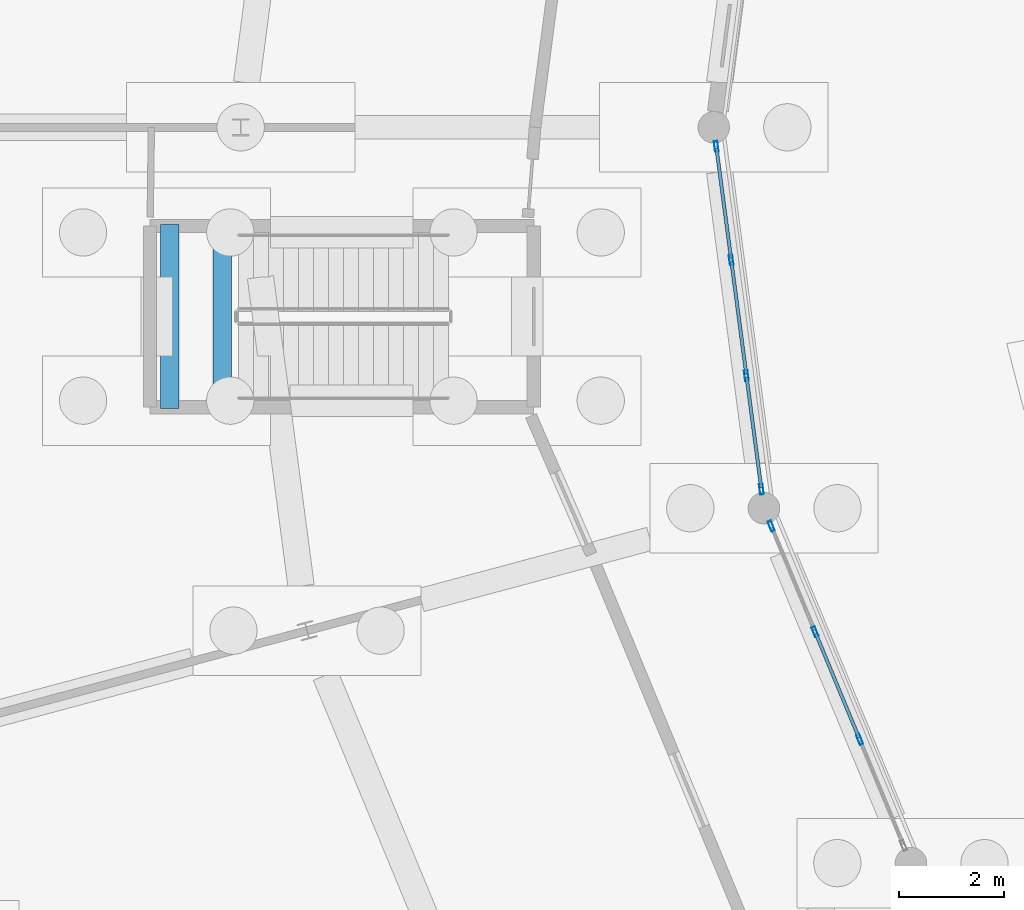
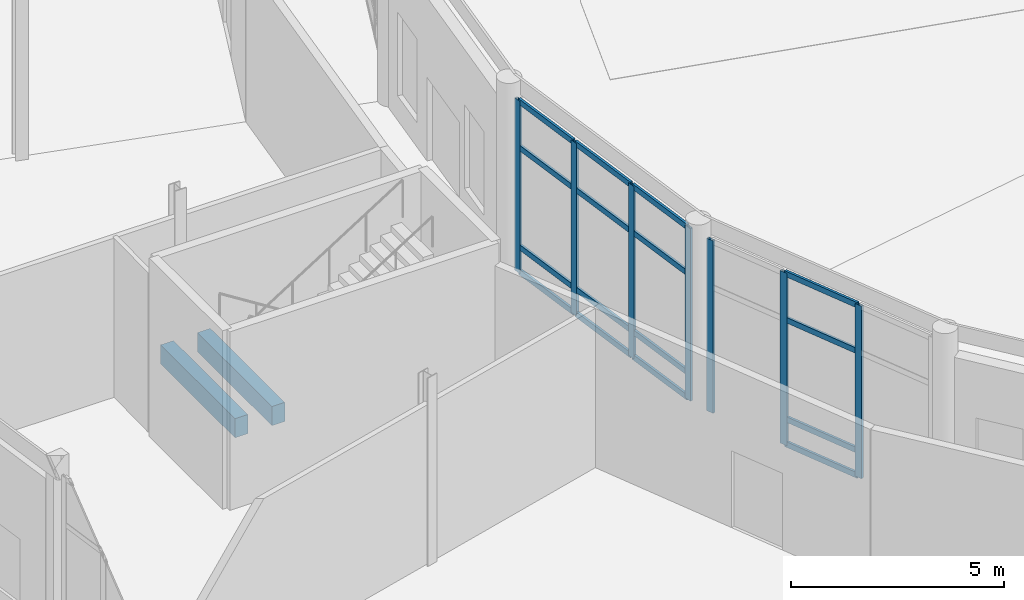
# One storey, part 53 of 137: 23 members, 2 beams, 2 elements without a shape of their own.
"""IFC4 building model written with IfcOpenShell, lengths in metres."""

from ifc_helpers import new_model, si_unit, direction, frame, origin, origin_2d, place, context, subcontext, project, spatial, rectangle, hollow_rectangle, extrude, material, material_profile, profile_set, type_object, element, aggregate, save


model = new_model("IFC4")

# Units and contexts
model_context = context("Model", 3, precision=1e-05, world=origin(), true_north=direction((0.0, 1.0)))
body_context = subcontext(model_context, "Body", "Model", "MODEL_VIEW")
ifc_project = project(units=[si_unit("LENGTHUNIT", "METRE"), si_unit("AREAUNIT", "SQUARE_METRE"), si_unit("VOLUMEUNIT", "CUBIC_METRE"), si_unit("PLANEANGLEUNIT", "RADIAN"), si_unit("MASSUNIT", "GRAM", prefix="KILO")], contexts=[model_context])

# Site, building, storey
site_placement = place(None, origin())
site = spatial("IfcSite", under=ifc_project, at=site_placement, CompositionType="ELEMENT")
building_placement = place(site_placement, origin())
building = spatial("IfcBuilding", under=site, at=building_placement, Name="Vondelvale Polytechnic", CompositionType="ELEMENT")
storey_placement = place(building_placement, origin())
storey = spatial("IfcBuildingStorey", under=building, at=storey_placement, Name="L00", CompositionType="ELEMENT", Elevation=0.0)

# Beams
ifc_material_1 = material(Name="Concrete N40 (f'c = 40 MPa)", Category="concrete")
ifc_material_profile_1 = material_profile(ifc_material_1, rectangle(XDim=0.35009765625, YDim=0.550048828125, at=origin_2d()), Name="RC-BM-350x550")
ifc_profile_set_1 = profile_set([ifc_material_profile_1], Name="Concrete N40 (f'c = 40 MPa)")
beam_type = type_object("IfcBeamType", Name="BM-RC350x550", PredefinedType="BEAM", material=ifc_profile_set_1)
for number, where, z_axis, x_axis, name in (
    (1, (64.64990234375, 70.14990234375, 2.22509765625), (0.0, -1.0, 0.0), (1.0, 0.0, 0.0), "L00 STLD B-06"),
    (2, (63.64990234375, 70.14990234375, 2.22509765625), (0.0, -1.0, 0.0), (1.0, 0.0, 0.0), "L00 STLD B-06"),
):
    element("IfcBeam", number, at=place(storey_placement, frame(where, z_axis=z_axis, x_axis=x_axis)), inside=storey, type_object=beam_type, Name=name, PredefinedType="BEAM", context=body_context, shape_type="SweptSolid", body=[
        extrude(rectangle(XDim=0.35009765625, YDim=0.550048828125, at=origin_2d()), origin(), (0.0, 0.0, 1.0), 3.5),
    ])

# Curtain wall, members
ifc_material_2 = material(Name="Anodised extruded aluminium 6063-T6", Category="aluminium")
curtain_wall_type = type_object("IfcCurtainWallType", Name="CW-RING-CLOISTER", PredefinedType="NOTDEFINED", material=ifc_material_2)
curtain_wall_1_placement = place(storey_placement, origin())
curtain_wall_1 = element("IfcCurtainWall", 3, at=curtain_wall_1_placement, inside=storey, type_object=curtain_wall_type, Name="L00 architectural curtain wall CW-03-256", PredefinedType="NOTDEFINED")
ifc_material_profile_2 = material_profile(ifc_material_2, hollow_rectangle(XDim=0.070068359375, YDim=0.199951171875, WallThickness=0.00390625, at=origin_2d()), Name="CW-MUL-200x70")
ifc_profile_set_2 = profile_set([ifc_material_profile_2], Name="Anodised extruded aluminium 6063-T6")
member_type_1 = type_object("IfcMemberType", Name="CW-MUL-70x200", PredefinedType="MULLION", material=ifc_profile_set_2)
member_1_placement = place(storey_placement, frame((74.04736328125, 71.639404296875, 0.0), z_axis=(0.0, 0.0, 1.0), x_axis=(0.99144462243, 0.130528007165, 0.0)))
member_1 = element("IfcMember", 4, at=member_1_placement, type_object=member_type_1, Name="CW-03-256 mullion 1", PredefinedType="MULLION", context=body_context, shape_type="SweptSolid", body=[
    extrude(hollow_rectangle(XDim=0.070068359375, YDim=0.199951171875, WallThickness=0.00390625, at=origin_2d()), origin(), (0.0, 0.0, 1.0), 4.949951171875),
])
member_2_placement = place(storey_placement, frame((74.332275390625, 69.475830078125, 0.0), z_axis=(0.0, 0.0, 1.0), x_axis=(0.99144462243, 0.130528007165, 0.0)))
member_2 = element("IfcMember", 5, at=member_2_placement, type_object=member_type_1, Name="CW-03-256 mullion 2", PredefinedType="MULLION", context=body_context, shape_type="SweptSolid", body=[
    extrude(hollow_rectangle(XDim=0.070068359375, YDim=0.199951171875, WallThickness=0.00390625, at=origin_2d()), origin(), (0.0, 0.0, 1.0), 4.949951171875),
])
member_3_placement = place(storey_placement, frame((74.621826171875, 67.27734375, 0.0), z_axis=(0.0, 0.0, 1.0), x_axis=(0.99144462243, 0.130528007165, 0.0)))
member_3 = element("IfcMember", 6, at=member_3_placement, type_object=member_type_1, Name="CW-03-256 mullion 3", PredefinedType="MULLION", context=body_context, shape_type="SweptSolid", body=[
    extrude(hollow_rectangle(XDim=0.070068359375, YDim=0.199951171875, WallThickness=0.00390625, at=origin_2d()), origin(), (0.0, 0.0, 1.0), 4.949951171875),
])
member_4_placement = place(storey_placement, frame((74.90673828125, 65.113525390625, 0.0), z_axis=(0.0, 0.0, 1.0), x_axis=(0.99144462243, 0.130528007165, 0.0)))
member_4 = element("IfcMember", 7, at=member_4_placement, type_object=member_type_1, Name="CW-03-256 mullion 4", PredefinedType="MULLION", context=body_context, shape_type="SweptSolid", body=[
    extrude(hollow_rectangle(XDim=0.070068359375, YDim=0.199951171875, WallThickness=0.00390625, at=origin_2d()), origin(), (0.0, 0.0, 1.0), 4.949951171875),
])

curtain_wall_2_placement = place(storey_placement, origin())
curtain_wall_2 = element("IfcCurtainWall", 8, at=curtain_wall_2_placement, inside=storey, type_object=curtain_wall_type, Name="L00 architectural curtain wall CW-03-275", PredefinedType="NOTDEFINED")
member_5_placement = place(storey_placement, frame((75.09375, 64.415771484375, 0.0), z_axis=(0.0, 0.0, 1.0), x_axis=(0.923881562419, 0.382678531697, 0.0)))
member_5 = element("IfcMember", 9, at=member_5_placement, type_object=member_type_1, Name="CW-03-275 mullion 1", PredefinedType="MULLION", context=body_context, shape_type="SweptSolid", body=[
    extrude(hollow_rectangle(XDim=0.070068359375, YDim=0.199951171875, WallThickness=0.00390625, at=origin_2d()), origin(), (0.0, 0.0, 1.0), 4.949951171875),
])
member_6_placement = place(storey_placement, frame((75.9287109375, 62.400390625, 0.0), z_axis=(0.0, 0.0, 1.0), x_axis=(0.923881562419, 0.382678531697, 0.0)))
member_6 = element("IfcMember", 10, at=member_6_placement, type_object=member_type_1, Name="CW-03-275 mullion 2", PredefinedType="MULLION", context=body_context, shape_type="SweptSolid", body=[
    extrude(hollow_rectangle(XDim=0.070068359375, YDim=0.199951171875, WallThickness=0.00390625, at=origin_2d()), origin(), (0.0, 0.0, 1.0), 4.949951171875),
])
member_7_placement = place(storey_placement, frame((76.77685546875, 60.352783203125, 0.0), z_axis=(0.0, 0.0, 1.0), x_axis=(0.923881562419, 0.382678531697, 0.0)))
member_7 = element("IfcMember", 11, at=member_7_placement, type_object=member_type_1, Name="CW-03-275 mullion 3", PredefinedType="MULLION", context=body_context, shape_type="SweptSolid", body=[
    extrude(hollow_rectangle(XDim=0.070068359375, YDim=0.199951171875, WallThickness=0.00390625, at=origin_2d()), origin(), (0.0, 0.0, 1.0), 4.949951171875),
])

# Member
ifc_material_profile_3 = material_profile(ifc_material_2, hollow_rectangle(XDim=0.06494140625, YDim=0.159912109375, WallThickness=0.00341796875, at=origin_2d()), Name="CW-TRN-160x65")
ifc_profile_set_3 = profile_set([ifc_material_profile_3], Name="Anodised extruded aluminium 6063-T6")
member_type_2 = type_object("IfcMemberType", Name="CW-TRN-70x160", PredefinedType="USERDEFINED", material=ifc_profile_set_3)
member_8_placement = place(storey_placement, frame((74.052001953125, 71.604736328125, 0.032470703125), z_axis=(0.130604000296, -0.99143461464, 0.0), x_axis=(0.99143461464, 0.130604000296, 0.0)))
member_8 = element("IfcMember", 12, at=member_8_placement, type_object=member_type_2, Name="CW-03-256 transom 1.1", ObjectType="TRANSOM", PredefinedType="USERDEFINED", context=body_context, shape_type="SweptSolid", body=[
    extrude(hollow_rectangle(XDim=0.06494140625, YDim=0.159912109375, WallThickness=0.00341796875, at=origin_2d()), origin(), (0.0, 0.0, 1.0), 2.1123046875),
])

member_9_placement = place(storey_placement, frame((74.052001953125, 71.604736328125, 0.75), z_axis=(0.130604000296, -0.99143461464, 0.0), x_axis=(0.99143461464, 0.130604000296, 0.0)))
member_9 = element("IfcMember", 13, at=member_9_placement, type_object=member_type_2, Name="CW-03-256 transom 1.2", ObjectType="TRANSOM", PredefinedType="USERDEFINED", context=body_context, shape_type="SweptSolid", body=[
    extrude(hollow_rectangle(XDim=0.06494140625, YDim=0.159912109375, WallThickness=0.00341796875, at=origin_2d()), origin(), (0.0, 0.0, 1.0), 2.1123046875),
])

member_10_placement = place(storey_placement, frame((74.052001953125, 71.604736328125, 3.60009765625), z_axis=(0.130604000296, -0.99143461464, 0.0), x_axis=(0.99143461464, 0.130604000296, 0.0)))
member_10 = element("IfcMember", 14, at=member_10_placement, type_object=member_type_2, Name="CW-03-256 transom 1.3", ObjectType="TRANSOM", PredefinedType="USERDEFINED", context=body_context, shape_type="SweptSolid", body=[
    extrude(hollow_rectangle(XDim=0.06494140625, YDim=0.159912109375, WallThickness=0.00341796875, at=origin_2d()), origin(), (0.0, 0.0, 1.0), 2.1123046875),
])

member_11_placement = place(storey_placement, frame((74.052001953125, 71.604736328125, 4.91748046875), z_axis=(0.130604000296, -0.99143461464, 0.0), x_axis=(0.99143461464, 0.130604000296, 0.0)))
member_11 = element("IfcMember", 15, at=member_11_placement, type_object=member_type_2, Name="CW-03-256 transom 1.4", ObjectType="TRANSOM", PredefinedType="USERDEFINED", context=body_context, shape_type="SweptSolid", body=[
    extrude(hollow_rectangle(XDim=0.06494140625, YDim=0.159912109375, WallThickness=0.00341796875, at=origin_2d()), origin(), (0.0, 0.0, 1.0), 2.1123046875),
])

member_12_placement = place(storey_placement, frame((74.3369140625, 69.441162109375, 0.032470703125), z_axis=(0.1305103875, -0.991446941977, 0.0), x_axis=(0.991446941977, 0.1305103875, 0.0)))
member_12 = element("IfcMember", 16, at=member_12_placement, type_object=member_type_2, Name="CW-03-256 transom 2.1", ObjectType="TRANSOM", PredefinedType="USERDEFINED", context=body_context, shape_type="SweptSolid", body=[
    extrude(hollow_rectangle(XDim=0.06494140625, YDim=0.159912109375, WallThickness=0.00341796875, at=origin_2d()), origin(), (0.0, 0.0, 1.0), 2.1474609375),
])

member_13_placement = place(storey_placement, frame((74.3369140625, 69.441162109375, 0.75), z_axis=(0.1305103875, -0.991446941977, 0.0), x_axis=(0.991446941977, 0.1305103875, 0.0)))
member_13 = element("IfcMember", 17, at=member_13_placement, type_object=member_type_2, Name="CW-03-256 transom 2.2", ObjectType="TRANSOM", PredefinedType="USERDEFINED", context=body_context, shape_type="SweptSolid", body=[
    extrude(hollow_rectangle(XDim=0.06494140625, YDim=0.159912109375, WallThickness=0.00341796875, at=origin_2d()), origin(), (0.0, 0.0, 1.0), 2.1474609375),
])

member_14_placement = place(storey_placement, frame((74.3369140625, 69.441162109375, 3.60009765625), z_axis=(0.1305103875, -0.991446941977, 0.0), x_axis=(0.991446941977, 0.1305103875, 0.0)))
member_14 = element("IfcMember", 18, at=member_14_placement, type_object=member_type_2, Name="CW-03-256 transom 2.3", ObjectType="TRANSOM", PredefinedType="USERDEFINED", context=body_context, shape_type="SweptSolid", body=[
    extrude(hollow_rectangle(XDim=0.06494140625, YDim=0.159912109375, WallThickness=0.00341796875, at=origin_2d()), origin(), (0.0, 0.0, 1.0), 2.1474609375),
])

member_15_placement = place(storey_placement, frame((74.3369140625, 69.441162109375, 4.91748046875), z_axis=(0.1305103875, -0.991446941977, 0.0), x_axis=(0.991446941977, 0.1305103875, 0.0)))
member_15 = element("IfcMember", 19, at=member_15_placement, type_object=member_type_2, Name="CW-03-256 transom 2.4", ObjectType="TRANSOM", PredefinedType="USERDEFINED", context=body_context, shape_type="SweptSolid", body=[
    extrude(hollow_rectangle(XDim=0.06494140625, YDim=0.159912109375, WallThickness=0.00341796875, at=origin_2d()), origin(), (0.0, 0.0, 1.0), 2.1474609375),
])

member_16_placement = place(storey_placement, frame((74.626220703125, 67.24267578125, 0.032470703125), z_axis=(0.130589036243, -0.991436585775, 0.0), x_axis=(0.991436585775, 0.130589036243, 0.0)))
member_16 = element("IfcMember", 20, at=member_16_placement, type_object=member_type_2, Name="CW-03-256 transom 3.1", ObjectType="TRANSOM", PredefinedType="USERDEFINED", context=body_context, shape_type="SweptSolid", body=[
    extrude(hollow_rectangle(XDim=0.06494140625, YDim=0.159912109375, WallThickness=0.00341796875, at=origin_2d()), origin(), (0.0, 0.0, 1.0), 2.112548828125),
])

member_17_placement = place(storey_placement, frame((74.626220703125, 67.24267578125, 0.75), z_axis=(0.130589036243, -0.991436585775, 0.0), x_axis=(0.991436585775, 0.130589036243, 0.0)))
member_17 = element("IfcMember", 21, at=member_17_placement, type_object=member_type_2, Name="CW-03-256 transom 3.2", ObjectType="TRANSOM", PredefinedType="USERDEFINED", context=body_context, shape_type="SweptSolid", body=[
    extrude(hollow_rectangle(XDim=0.06494140625, YDim=0.159912109375, WallThickness=0.00341796875, at=origin_2d()), origin(), (0.0, 0.0, 1.0), 2.112548828125),
])

member_18_placement = place(storey_placement, frame((74.626220703125, 67.24267578125, 3.60009765625), z_axis=(0.130589036243, -0.991436585775, 0.0), x_axis=(0.991436585775, 0.130589036243, 0.0)))
member_18 = element("IfcMember", 22, at=member_18_placement, type_object=member_type_2, Name="CW-03-256 transom 3.3", ObjectType="TRANSOM", PredefinedType="USERDEFINED", context=body_context, shape_type="SweptSolid", body=[
    extrude(hollow_rectangle(XDim=0.06494140625, YDim=0.159912109375, WallThickness=0.00341796875, at=origin_2d()), origin(), (0.0, 0.0, 1.0), 2.112548828125),
])

member_19_placement = place(storey_placement, frame((74.626220703125, 67.24267578125, 4.91748046875), z_axis=(0.130589036243, -0.991436585775, 0.0), x_axis=(0.991436585775, 0.130589036243, 0.0)))
member_19 = element("IfcMember", 23, at=member_19_placement, type_object=member_type_2, Name="CW-03-256 transom 3.4", ObjectType="TRANSOM", PredefinedType="USERDEFINED", context=body_context, shape_type="SweptSolid", body=[
    extrude(hollow_rectangle(XDim=0.06494140625, YDim=0.159912109375, WallThickness=0.00341796875, at=origin_2d()), origin(), (0.0, 0.0, 1.0), 2.112548828125),
])

aggregate(curtain_wall_1, [member_1, member_2, member_3, member_4, member_8, member_9, member_10, member_11, member_12, member_13, member_14, member_15, member_16, member_17, member_18, member_19])

member_20_placement = place(storey_placement, frame((75.94189453125, 62.3681640625, 0.032470703125), z_axis=(0.382716752649, -0.923865730094, 0.0), x_axis=(0.923865730094, 0.382716752649, 0.0)))
member_20 = element("IfcMember", 24, at=member_20_placement, type_object=member_type_2, Name="CW-03-275 transom 2.1", ObjectType="TRANSOM", PredefinedType="USERDEFINED", context=body_context, shape_type="SweptSolid", body=[
    extrude(hollow_rectangle(XDim=0.06494140625, YDim=0.159912109375, WallThickness=0.00341796875, at=origin_2d()), origin(), (0.0, 0.0, 1.0), 2.146484375),
])

member_21_placement = place(storey_placement, frame((75.94189453125, 62.3681640625, 0.75), z_axis=(0.382716752649, -0.923865730094, 0.0), x_axis=(0.923865730094, 0.382716752649, 0.0)))
member_21 = element("IfcMember", 25, at=member_21_placement, type_object=member_type_2, Name="CW-03-275 transom 2.2", ObjectType="TRANSOM", PredefinedType="USERDEFINED", context=body_context, shape_type="SweptSolid", body=[
    extrude(hollow_rectangle(XDim=0.06494140625, YDim=0.159912109375, WallThickness=0.00341796875, at=origin_2d()), origin(), (0.0, 0.0, 1.0), 2.146484375),
])

member_22_placement = place(storey_placement, frame((75.94189453125, 62.3681640625, 3.60009765625), z_axis=(0.382716752649, -0.923865730094, 0.0), x_axis=(0.923865730094, 0.382716752649, 0.0)))
member_22 = element("IfcMember", 26, at=member_22_placement, type_object=member_type_2, Name="CW-03-275 transom 2.3", ObjectType="TRANSOM", PredefinedType="USERDEFINED", context=body_context, shape_type="SweptSolid", body=[
    extrude(hollow_rectangle(XDim=0.06494140625, YDim=0.159912109375, WallThickness=0.00341796875, at=origin_2d()), origin(), (0.0, 0.0, 1.0), 2.146484375),
])

member_23_placement = place(storey_placement, frame((75.94189453125, 62.3681640625, 4.91748046875), z_axis=(0.382716752649, -0.923865730094, 0.0), x_axis=(0.923865730094, 0.382716752649, 0.0)))
member_23 = element("IfcMember", 27, at=member_23_placement, type_object=member_type_2, Name="CW-03-275 transom 2.4", ObjectType="TRANSOM", PredefinedType="USERDEFINED", context=body_context, shape_type="SweptSolid", body=[
    extrude(hollow_rectangle(XDim=0.06494140625, YDim=0.159912109375, WallThickness=0.00341796875, at=origin_2d()), origin(), (0.0, 0.0, 1.0), 2.146484375),
])

aggregate(curtain_wall_2, [member_5, member_6, member_7, member_20, member_21, member_22, member_23])

save(model, "model.ifc")
